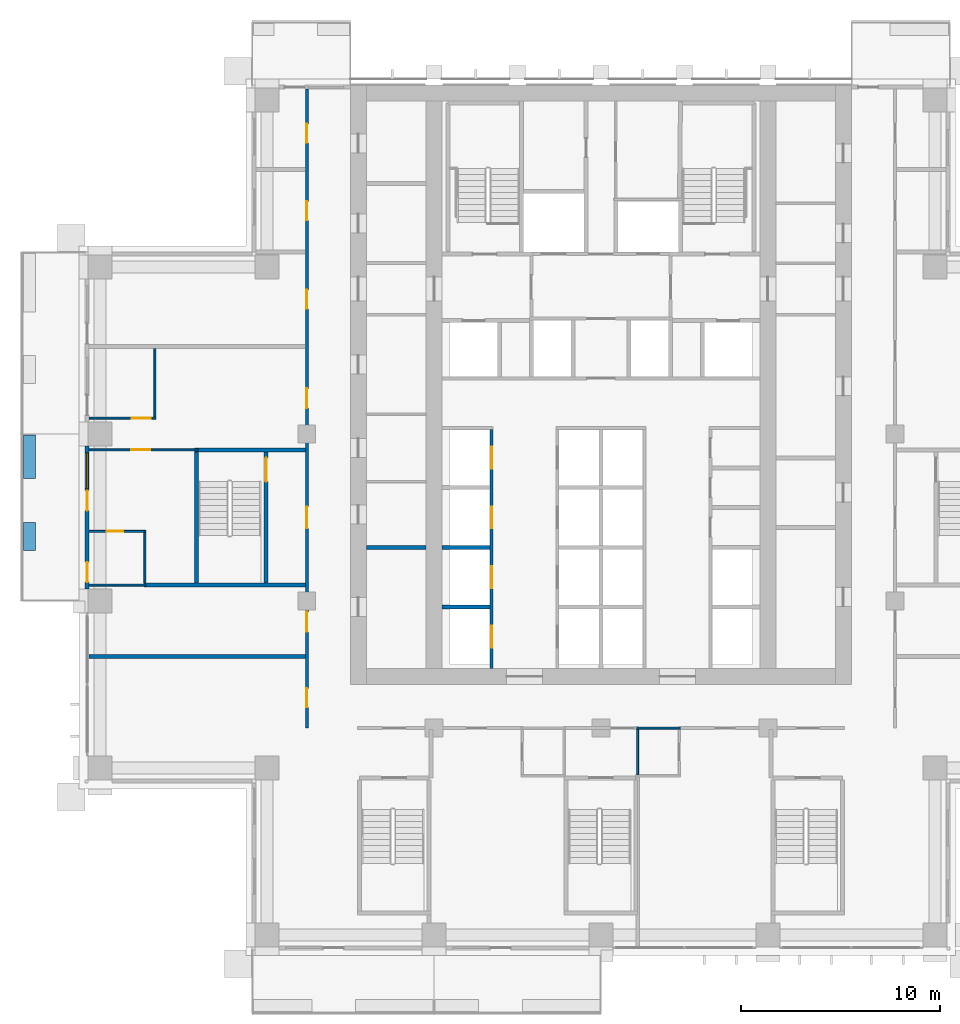
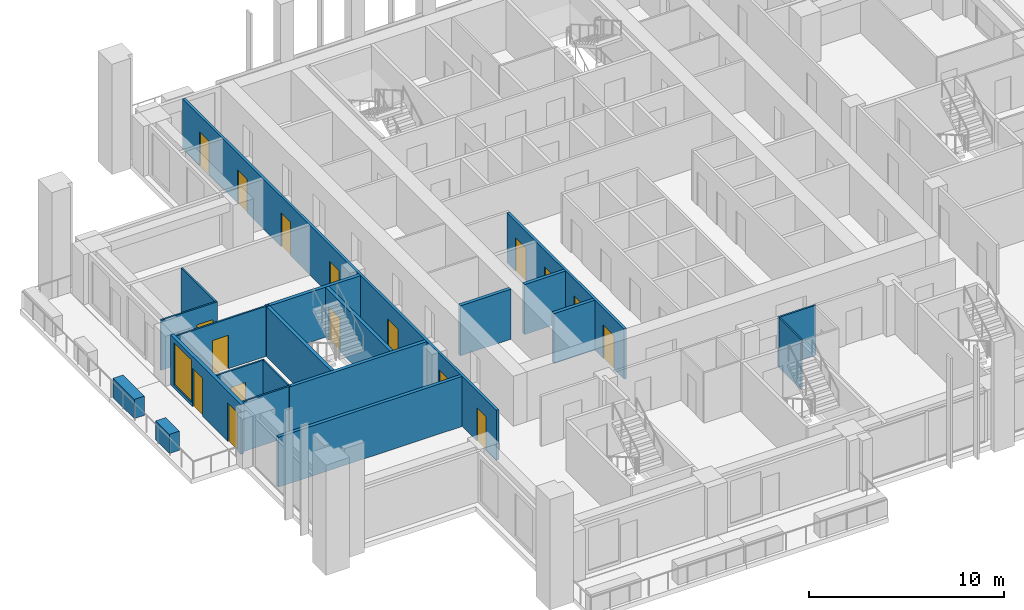
# One storey, part 7 of 17: 21 walls, 17 doors, 1 window, 18 openings.
"""IFC4 building model written with IfcOpenShell, lengths in metres."""

from ifc_helpers import new_model, si_unit, direction, frame, frame_2d, origin, place, context, subcontext, project, spatial, rectangle, extrude, material, layer, layer_set, type_object, element, fill, save


model = new_model("IFC4")

# Units and contexts
model_context = context("Model", 3, precision=1e-05, world=origin(), true_north=direction((0.0, 1.0)))
body_context = subcontext(model_context, "Body", "Model", "MODEL_VIEW")
ifc_project = project(units=[si_unit("LENGTHUNIT", "METRE"), si_unit("AREAUNIT", "SQUARE_METRE"), si_unit("VOLUMEUNIT", "CUBIC_METRE"), si_unit("PLANEANGLEUNIT", "RADIAN"), si_unit("MASSUNIT", "GRAM", prefix="KILO")], contexts=[model_context])

# Site, building, storey
site_placement = place(None, origin())
site = spatial("IfcSite", under=ifc_project, at=site_placement, CompositionType="ELEMENT")
building_placement = place(site_placement, origin())
building = spatial("IfcBuilding", under=site, at=building_placement, Name="Vermilion Ogive Tower", CompositionType="ELEMENT")
storey_placement = place(building_placement, frame((0.0, 0.0, 97.64990234375)))
storey = spatial("IfcBuildingStorey", under=building, at=storey_placement, Name="L24", CompositionType="ELEMENT", Elevation=97.64990234375)

# Walls
ifc_material_1 = material(Name="Gypsum board partition on steel studs", Category="steel")
ifc_layer_1 = layer(ifc_material_1, 0.10009765625)
ifc_layer_set_1 = layer_set([ifc_layer_1], Name="Partition 100 bath")
wall_type_1 = type_object("IfcWallType", Name="Partition 100 bath", PredefinedType="PARTITIONING", material=ifc_layer_set_1)
wall_1_placement = place(storey_placement, frame((1.800048828125, -10.60009765625, 0.0), z_axis=(0.0, 0.0, 1.0), x_axis=(1.0, 0.0, 0.0)))
element("IfcWall", 1, at=wall_1_placement, inside=storey, type_object=wall_type_1, Name="L24-W-W010", PredefinedType="PARTITIONING", context=body_context, shape_type="SweptSolid", body=[
    extrude(rectangle(XDim=2.199951171875, YDim=0.10009765625, at=frame_2d((1.10009765625, 0.0))), origin(), (0.0, 0.0, 1.0), 3.130126953125),
])
wall_2_placement = place(storey_placement, frame((-25.75, -3.39990234375, 0.0), z_axis=(0.0, 0.0, 1.0), x_axis=(1.0, 0.0, 0.0)))
element("IfcWall", 2, at=wall_2_placement, inside=storey, type_object=wall_type_1, Name="L24-W-W014", PredefinedType="PARTITIONING", context=body_context, shape_type="SweptSolid", body=[
    extrude(rectangle(XDim=2.85009765625, YDim=0.10009765625, at=frame_2d((1.425048828125, 0.0))), origin(), (0.0, 0.0, 1.0), 3.130126953125),
])

# Wall, opening, door
wall_3_placement = place(storey_placement, frame((-25.75, -0.699951171875, 0.0), z_axis=(0.0, 0.0, 1.0), x_axis=(1.0, 0.0, 0.0)))
wall_3 = element("IfcWall", 3, at=wall_3_placement, inside=storey, type_object=wall_type_1, Name="L24-W-W020", PredefinedType="PARTITIONING", context=body_context, shape_type="SweptSolid", body=[
    extrude(rectangle(XDim=2.85009765625, YDim=0.10009765625, at=frame_2d((1.425048828125, 0.0))), origin(), (0.0, 0.0, 1.0), 3.130126953125),
])
opening_1_placement = place(wall_3_placement, frame((0.875, 0.0, 0.0)))
opening_1 = element("IfcOpeningElement", 4, at=opening_1_placement, cuts=wall_3, Name="Opening D2G3005", PredefinedType="OPENING", context=body_context, shape_type="SweptSolid", body=[
    extrude(rectangle(XDim=0.85009765625, YDim=2.10009765625, at=frame_2d((0.425048828125, 1.050048828125))), frame((0.0, 0.06005859375, 0.0), z_axis=(0.0, -1.0, 0.0), x_axis=(1.0, 0.0, 0.0)), (0.0, 0.0, 1.0), 0.1201171875),
])
ifc_material_2 = material(Name="Timber door leaf", Category="wood")
door_type_1 = type_object("IfcDoorType", Name="Bath door 850 x 2100 FD30", OperationType="SINGLE_SWING_LEFT", PredefinedType="DOOR", material=ifc_material_2)
door_1_placement = place(opening_1_placement, origin())
door_1 = element("IfcDoor", 5, at=door_1_placement, inside=storey, type_object=door_type_1, Name="L24-D-D005", OperationType="SINGLE_SWING_RIGHT", OverallHeight=2.10009765625, OverallWidth=0.85009765625, PredefinedType="DOOR", context=body_context, shape_type="SweptSolid", body=[
    extrude(rectangle(XDim=0.85009765625, YDim=2.10009765625, at=frame_2d((0.425048828125, 1.050048828125))), frame((0.0, 0.02490234375, 0.0), z_axis=(0.0, -1.0, 0.0), x_axis=(1.0, 0.0, 0.0)), (0.0, 0.0, 1.0), 0.050048828125),
])
fill(opening_1, door_1)

# Walls
wall_4_placement = place(storey_placement, frame((-22.949951171875, -3.300048828125, 0.0), z_axis=(0.0, 0.0, 1.0), x_axis=(0.0, 1.0, 0.0)))
element("IfcWall", 6, at=wall_4_placement, inside=storey, type_object=wall_type_1, Name="L24-W-W032", PredefinedType="PARTITIONING", context=body_context, shape_type="SweptSolid", body=[
    extrude(rectangle(XDim=2.550048828125, YDim=0.10009765625, at=frame_2d((1.27490234375, 0.0))), origin(), (0.0, 0.0, 1.0), 3.130126953125),
])
wall_5_placement = place(storey_placement, frame((1.85009765625, -12.949951171875, 0.0), z_axis=(0.0, 0.0, 1.0), x_axis=(0.0, 1.0, 0.0)))
element("IfcWall", 7, at=wall_5_placement, inside=storey, type_object=wall_type_1, Name="L24-W-W043", PredefinedType="PARTITIONING", context=body_context, shape_type="SweptSolid", body=[
    extrude(rectangle(XDim=2.27490234375, YDim=0.10009765625, at=frame_2d((1.137451171875, 0.0))), origin(), (0.0, 0.0, 1.0), 3.130126953125),
])

# Wall, opening, door
ifc_material_3 = material(Name="Gypsum board partition on steel studs", Category="steel")
ifc_layer_2 = layer(ifc_material_3, 0.10009765625)
ifc_layer_set_2 = layer_set([ifc_layer_2], Name="Partition 100 inner")
wall_type_2 = type_object("IfcWallType", Name="Partition 100 inner", PredefinedType="PARTITIONING", material=ifc_layer_set_2)
wall_6_placement = place(storey_placement, frame((-25.75, 3.39990234375, 0.0), z_axis=(0.0, 0.0, 1.0), x_axis=(1.0, 0.0, 0.0)))
wall_6 = element("IfcWall", 8, at=wall_6_placement, inside=storey, type_object=wall_type_2, Name="L24-W-W021", PredefinedType="PARTITIONING", context=body_context, shape_type="SweptSolid", body=[
    extrude(rectangle(XDim=5.5, YDim=0.10009765625, at=frame_2d((2.75, 0.0))), origin(), (0.0, 0.0, 1.0), 3.130126953125),
])
opening_2_placement = place(wall_6_placement, frame((2.125, 0.0, 0.0)))
opening_2 = element("IfcOpeningElement", 9, at=opening_2_placement, cuts=wall_6, Name="Opening D2G3004", PredefinedType="OPENING", context=body_context, shape_type="SweptSolid", body=[
    extrude(rectangle(XDim=0.949951171875, YDim=2.10009765625, at=frame_2d((0.47509765625, 1.050048828125))), frame((0.0, 0.06005859375, 0.0), z_axis=(0.0, -1.0, 0.0), x_axis=(1.0, 0.0, 0.0)), (0.0, 0.0, 1.0), 0.1201171875),
])
ifc_material_4 = material(Name="Timber door leaf", Category="wood")
door_type_2 = type_object("IfcDoorType", Name="Inner door 950 x 2100 FD30", OperationType="SINGLE_SWING_LEFT", PredefinedType="DOOR", material=ifc_material_4)
door_2_placement = place(opening_2_placement, origin())
door_2 = element("IfcDoor", 10, at=door_2_placement, inside=storey, type_object=door_type_2, Name="L24-D-D004", OperationType="SINGLE_SWING_LEFT", OverallHeight=2.10009765625, OverallWidth=0.949951171875, PredefinedType="DOOR", context=body_context, shape_type="SweptSolid", body=[
    extrude(rectangle(XDim=0.949951171875, YDim=2.10009765625, at=frame_2d((0.47509765625, 1.050048828125))), frame((0.0, 0.02490234375, 0.0), z_axis=(0.0, -1.0, 0.0), x_axis=(1.0, 0.0, 0.0)), (0.0, 0.0, 1.0), 0.050048828125),
])
fill(opening_2, door_2)

wall_7_placement = place(storey_placement, frame((-25.75, 5.0, 0.0), z_axis=(0.0, 0.0, 1.0), x_axis=(1.0, 0.0, 0.0)))
wall_7 = element("IfcWall", 11, at=wall_7_placement, inside=storey, type_object=wall_type_2, Name="L24-W-W025", PredefinedType="PARTITIONING", context=body_context, shape_type="SweptSolid", body=[
    extrude(rectangle(XDim=3.35009765625, YDim=0.10009765625, at=frame_2d((1.675048828125, 0.0))), origin(), (0.0, 0.0, 1.0), 3.130126953125),
])
opening_3_placement = place(wall_7_placement, frame((2.14990234375, 0.0, 0.0)))
opening_3 = element("IfcOpeningElement", 12, at=opening_3_placement, cuts=wall_7, Name="Opening D2G3002", PredefinedType="OPENING", context=body_context, shape_type="SweptSolid", body=[
    extrude(rectangle(XDim=0.949951171875, YDim=2.10009765625, at=frame_2d((0.47509765625, 1.050048828125))), frame((0.0, 0.06005859375, 0.0), z_axis=(0.0, -1.0, 0.0), x_axis=(1.0, 0.0, 0.0)), (0.0, 0.0, 1.0), 0.1201171875),
])
door_3_placement = place(opening_3_placement, origin())
door_3 = element("IfcDoor", 13, at=door_3_placement, inside=storey, type_object=door_type_2, Name="L24-D-D002", OperationType="SINGLE_SWING_RIGHT", OverallHeight=2.10009765625, OverallWidth=0.949951171875, PredefinedType="DOOR", context=body_context, shape_type="SweptSolid", body=[
    extrude(rectangle(XDim=0.949951171875, YDim=2.10009765625, at=frame_2d((0.47509765625, 1.050048828125))), frame((0.0, 0.02490234375, 0.0), z_axis=(0.0, -1.0, 0.0), x_axis=(1.0, 0.0, 0.0)), (0.0, 0.0, 1.0), 0.050048828125),
])
fill(opening_3, door_3)

# Wall
wall_8_placement = place(storey_placement, frame((-22.449951171875, 5.050048828125, 0.0), z_axis=(0.0, 0.0, 1.0), x_axis=(0.0, 1.0, 0.0)))
element("IfcWall", 14, at=wall_8_placement, inside=storey, type_object=wall_type_2, Name="L24-W-W033", PredefinedType="PARTITIONING", context=body_context, shape_type="SweptSolid", body=[
    extrude(rectangle(XDim=3.449951171875, YDim=0.10009765625, at=frame_2d((1.72509765625, 0.0))), origin(), (0.0, 0.0, 1.0), 3.130126953125),
])

# Wall, openings, doors
ifc_material_5 = material(Name="Gypsum board partition on steel studs", Category="steel")
ifc_layer_3 = layer(ifc_material_5, 0.14990234375)
ifc_layer_set_3 = layer_set([ifc_layer_3], Name="Partition 150 corridor")
wall_type_3 = type_object("IfcWallType", Name="Partition 150 corridor", PredefinedType="PARTITIONING", material=ifc_layer_set_3)
wall_9_placement = place(storey_placement, frame((-14.800048828125, -10.60009765625, 0.0), z_axis=(0.0, 0.0, 1.0), x_axis=(0.0, 1.0, 0.0)))
wall_9 = element("IfcWall", 15, at=wall_9_placement, inside=storey, type_object=wall_type_3, Name="L24-W-W036", PredefinedType="PARTITIONING", context=body_context, shape_type="SweptSolid", body=[
    extrude(rectangle(XDim=32.150146484375, YDim=0.14990234375, at=frame_2d((16.0751953125, 0.0))), origin(), (0.0, 0.0, 1.0), 3.130126953125),
])
opening_4_placement = place(wall_9_placement, frame((1.050048828125, 0.0, 0.0)))
opening_4 = element("IfcOpeningElement", 16, at=opening_4_placement, cuts=wall_9, Name="Opening D2G3001", PredefinedType="OPENING", context=body_context, shape_type="SweptSolid", body=[
    extrude(rectangle(XDim=0.949951171875, YDim=2.10009765625, at=frame_2d((0.47509765625, 1.050048828125))), frame((0.0, 0.0849609375, 0.0), z_axis=(0.0, -1.0, 0.0), x_axis=(1.0, 0.0, 0.0)), (0.0, 0.0, 1.0), 0.169921875),
])
opening_5_placement = place(wall_9_placement, frame((16.10009765625, 0.0, 0.0)))
opening_5 = element("IfcOpeningElement", 17, at=opening_5_placement, cuts=wall_9, Name="Opening D2G3003", PredefinedType="OPENING", context=body_context, shape_type="SweptSolid", body=[
    extrude(rectangle(XDim=1.0, YDim=2.10009765625, at=frame_2d((0.5, 1.050048828125))), frame((0.0, 0.0849609375, 0.0), z_axis=(0.0, -1.0, 0.0), x_axis=(1.0, 0.0, 0.0)), (0.0, 0.0, 1.0), 0.169921875),
])
opening_6_placement = place(wall_9_placement, frame((21.10009765625, 0.0, 0.0)))
opening_6 = element("IfcOpeningElement", 18, at=opening_6_placement, cuts=wall_9, Name="Opening D2G3006", PredefinedType="OPENING", context=body_context, shape_type="SweptSolid", body=[
    extrude(rectangle(XDim=0.949951171875, YDim=2.10009765625, at=frame_2d((0.47509765625, 1.050048828125))), frame((0.0, 0.0849609375, 0.0), z_axis=(0.0, -1.0, 0.0), x_axis=(1.0, 0.0, 0.0)), (0.0, 0.0, 1.0), 0.169921875),
])
opening_7_placement = place(wall_9_placement, frame((25.550048828125, 0.0, 0.0)))
opening_7 = element("IfcOpeningElement", 19, at=opening_7_placement, cuts=wall_9, Name="Opening D2G3007", PredefinedType="OPENING", context=body_context, shape_type="SweptSolid", body=[
    extrude(rectangle(XDim=0.949951171875, YDim=2.10009765625, at=frame_2d((0.47509765625, 1.050048828125))), frame((0.0, 0.0849609375, 0.0), z_axis=(0.0, -1.0, 0.0), x_axis=(1.0, 0.0, 0.0)), (0.0, 0.0, 1.0), 0.169921875),
])
opening_8_placement = place(wall_9_placement, frame((29.4501953125, 0.0, 0.0)))
opening_8 = element("IfcOpeningElement", 20, at=opening_8_placement, cuts=wall_9, Name="Opening D2G3008", PredefinedType="OPENING", context=body_context, shape_type="SweptSolid", body=[
    extrude(rectangle(XDim=0.949951171875, YDim=2.10009765625, at=frame_2d((0.47509765625, 1.050048828125))), frame((0.0, 0.0849609375, 0.0), z_axis=(0.0, -1.0, 0.0), x_axis=(1.0, 0.0, 0.0)), (0.0, 0.0, 1.0), 0.169921875),
])
opening_9_placement = place(wall_9_placement, frame((10.050048828125, 0.0, 0.0)))
opening_9 = element("IfcOpeningElement", 21, at=opening_9_placement, cuts=wall_9, Name="Opening D2G3028", PredefinedType="OPENING", context=body_context, shape_type="SweptSolid", body=[
    extrude(rectangle(XDim=1.10009765625, YDim=2.10009765625, at=frame_2d((0.550048828125, 1.050048828125))), frame((0.0, 0.0849609375, 0.0), z_axis=(0.0, -1.0, 0.0), x_axis=(1.0, 0.0, 0.0)), (0.0, 0.0, 1.0), 0.169921875),
])
opening_10_placement = place(wall_9_placement, frame((4.85009765625, 0.0, 0.0)))
opening_10 = element("IfcOpeningElement", 22, at=opening_10_placement, cuts=wall_9, Name="Opening D2G3030", PredefinedType="OPENING", context=body_context, shape_type="SweptSolid", body=[
    extrude(rectangle(XDim=1.0, YDim=2.10009765625, at=frame_2d((0.5, 1.050048828125))), frame((0.0, 0.0849609375, 0.0), z_axis=(0.0, -1.0, 0.0), x_axis=(1.0, 0.0, 0.0)), (0.0, 0.0, 1.0), 0.169921875),
])
ifc_material_6 = material(Name="Timber door leaf", Category="wood")
door_type_3 = type_object("IfcDoorType", Name="Stair door 1100 x 2100 FD60S", OperationType="SINGLE_SWING_LEFT", PredefinedType="DOOR", material=ifc_material_6)
door_4_placement = place(opening_9_placement, origin())
door_4 = element("IfcDoor", 23, at=door_4_placement, inside=storey, type_object=door_type_3, Name="L24-D-D028", OperationType="SINGLE_SWING_RIGHT", OverallHeight=2.10009765625, OverallWidth=1.10009765625, PredefinedType="DOOR", context=body_context, shape_type="SweptSolid", body=[
    extrude(rectangle(XDim=1.10009765625, YDim=2.10009765625, at=frame_2d((0.550048828125, 1.050048828125))), frame((0.0, 0.02490234375, 0.0), z_axis=(0.0, -1.0, 0.0), x_axis=(1.0, 0.0, 0.0)), (0.0, 0.0, 1.0), 0.050048828125),
])
fill(opening_9, door_4)
ifc_material_7 = material(Name="Timber door leaf", Category="wood")
door_type_4 = type_object("IfcDoorType", Name="Unit door 1000 x 2100 FD30S", OperationType="SINGLE_SWING_LEFT", PredefinedType="DOOR", material=ifc_material_7)
door_5_placement = place(opening_5_placement, origin())
door_5 = element("IfcDoor", 24, at=door_5_placement, inside=storey, type_object=door_type_4, Name="L24-D-D003", OperationType="SINGLE_SWING_LEFT", OverallHeight=2.10009765625, OverallWidth=1.0, PredefinedType="DOOR", context=body_context, shape_type="SweptSolid", body=[
    extrude(rectangle(XDim=1.0, YDim=2.10009765625, at=frame_2d((0.5, 1.050048828125))), frame((0.0, 0.02490234375, 0.0), z_axis=(0.0, -1.0, 0.0), x_axis=(1.0, 0.0, 0.0)), (0.0, 0.0, 1.0), 0.050048828125),
])
fill(opening_5, door_5)
door_6_placement = place(opening_10_placement, origin())
door_6 = element("IfcDoor", 25, at=door_6_placement, inside=storey, type_object=door_type_4, Name="L24-D-D030", OperationType="SINGLE_SWING_RIGHT", OverallHeight=2.10009765625, OverallWidth=1.0, PredefinedType="DOOR", context=body_context, shape_type="SweptSolid", body=[
    extrude(rectangle(XDim=1.0, YDim=2.10009765625, at=frame_2d((0.5, 1.050048828125))), frame((0.0, 0.02490234375, 0.0), z_axis=(0.0, -1.0, 0.0), x_axis=(1.0, 0.0, 0.0)), (0.0, 0.0, 1.0), 0.050048828125),
])
fill(opening_10, door_6)
ifc_material_8 = material(Name="Timber door leaf", Category="wood")
door_type_5 = type_object("IfcDoorType", Name="Unit door 950 x 2100 FD30S", OperationType="SINGLE_SWING_LEFT", PredefinedType="DOOR", material=ifc_material_8)
door_7_placement = place(opening_4_placement, origin())
door_7 = element("IfcDoor", 26, at=door_7_placement, inside=storey, type_object=door_type_5, Name="L24-D-D001", OperationType="SINGLE_SWING_LEFT", OverallHeight=2.10009765625, OverallWidth=0.949951171875, PredefinedType="DOOR", context=body_context, shape_type="SweptSolid", body=[
    extrude(rectangle(XDim=0.949951171875, YDim=2.10009765625, at=frame_2d((0.47509765625, 1.050048828125))), frame((0.0, 0.02490234375, 0.0), z_axis=(0.0, -1.0, 0.0), x_axis=(1.0, 0.0, 0.0)), (0.0, 0.0, 1.0), 0.050048828125),
])
fill(opening_4, door_7)
door_8_placement = place(opening_6_placement, origin())
door_8 = element("IfcDoor", 27, at=door_8_placement, inside=storey, type_object=door_type_5, Name="L24-D-D006", OperationType="SINGLE_SWING_RIGHT", OverallHeight=2.10009765625, OverallWidth=0.949951171875, PredefinedType="DOOR", context=body_context, shape_type="SweptSolid", body=[
    extrude(rectangle(XDim=0.949951171875, YDim=2.10009765625, at=frame_2d((0.47509765625, 1.050048828125))), frame((0.0, 0.02490234375, 0.0), z_axis=(0.0, -1.0, 0.0), x_axis=(1.0, 0.0, 0.0)), (0.0, 0.0, 1.0), 0.050048828125),
])
fill(opening_6, door_8)
door_9_placement = place(opening_7_placement, origin())
door_9 = element("IfcDoor", 28, at=door_9_placement, inside=storey, type_object=door_type_5, Name="L24-D-D007", OperationType="SINGLE_SWING_LEFT", OverallHeight=2.10009765625, OverallWidth=0.949951171875, PredefinedType="DOOR", context=body_context, shape_type="SweptSolid", body=[
    extrude(rectangle(XDim=0.949951171875, YDim=2.10009765625, at=frame_2d((0.47509765625, 1.050048828125))), frame((0.0, 0.02490234375, 0.0), z_axis=(0.0, -1.0, 0.0), x_axis=(1.0, 0.0, 0.0)), (0.0, 0.0, 1.0), 0.050048828125),
])
fill(opening_7, door_9)
door_10_placement = place(opening_8_placement, origin())
door_10 = element("IfcDoor", 29, at=door_10_placement, inside=storey, type_object=door_type_5, Name="L24-D-D008", OperationType="SINGLE_SWING_RIGHT", OverallHeight=2.10009765625, OverallWidth=0.949951171875, PredefinedType="DOOR", context=body_context, shape_type="SweptSolid", body=[
    extrude(rectangle(XDim=0.949951171875, YDim=2.10009765625, at=frame_2d((0.47509765625, 1.050048828125))), frame((0.0, 0.02490234375, 0.0), z_axis=(0.0, -1.0, 0.0), x_axis=(1.0, 0.0, 0.0)), (0.0, 0.0, 1.0), 0.050048828125),
])
fill(opening_8, door_10)

wall_10_placement = place(storey_placement, frame((-5.5, -7.59912109375, 0.0), z_axis=(0.0, 0.0, 1.0), x_axis=(0.0, 1.0, 0.0)))
wall_10 = element("IfcWall", 30, at=wall_10_placement, inside=storey, type_object=wall_type_3, Name="L24-CK-W-W023", PredefinedType="PARTITIONING", context=body_context, shape_type="SweptSolid", body=[
    extrude(rectangle(XDim=12.024169921875, YDim=0.14990234375, at=frame_2d((6.01220703125, 0.0))), origin(), (0.0, 0.0, 1.0), 3.130126953125),
])
opening_11_placement = place(wall_10_placement, frame((1.049072265625, 0.0, 0.0)))
opening_11 = element("IfcOpeningElement", 31, at=opening_11_placement, cuts=wall_10, Name="Opening DAA196", PredefinedType="OPENING", context=body_context, shape_type="SweptSolid", body=[
    extrude(rectangle(XDim=1.10009765625, YDim=2.10009765625, at=frame_2d((0.550048828125, 1.050048828125))), frame((0.0, 0.0849609375, 0.0), z_axis=(0.0, -1.0, 0.0), x_axis=(1.0, 0.0, 0.0)), (0.0, 0.0, 1.0), 0.169921875),
])
opening_12_placement = place(wall_10_placement, frame((4.049072265625, 0.0, 0.0)))
opening_12 = element("IfcOpeningElement", 32, at=opening_12_placement, cuts=wall_10, Name="Opening DAA199", PredefinedType="OPENING", context=body_context, shape_type="SweptSolid", body=[
    extrude(rectangle(XDim=1.10009765625, YDim=2.10009765625, at=frame_2d((0.550048828125, 1.050048828125))), frame((0.0, 0.0849609375, 0.0), z_axis=(0.0, -1.0, 0.0), x_axis=(1.0, 0.0, 0.0)), (0.0, 0.0, 1.0), 0.169921875),
])
opening_13_placement = place(wall_10_placement, frame((7.049072265625, 0.0, 0.0)))
opening_13 = element("IfcOpeningElement", 33, at=opening_13_placement, cuts=wall_10, Name="Opening DAA200", PredefinedType="OPENING", context=body_context, shape_type="SweptSolid", body=[
    extrude(rectangle(XDim=1.10009765625, YDim=2.10009765625, at=frame_2d((0.550048828125, 1.050048828125))), frame((0.0, 0.0849609375, 0.0), z_axis=(0.0, -1.0, 0.0), x_axis=(1.0, 0.0, 0.0)), (0.0, 0.0, 1.0), 0.169921875),
])
opening_14_placement = place(wall_10_placement, frame((10.049072265625, 0.0, 0.0)))
opening_14 = element("IfcOpeningElement", 34, at=opening_14_placement, cuts=wall_10, Name="Opening DAA201", PredefinedType="OPENING", context=body_context, shape_type="SweptSolid", body=[
    extrude(rectangle(XDim=1.10009765625, YDim=2.10009765625, at=frame_2d((0.550048828125, 1.050048828125))), frame((0.0, 0.0849609375, 0.0), z_axis=(0.0, -1.0, 0.0), x_axis=(1.0, 0.0, 0.0)), (0.0, 0.0, 1.0), 0.169921875),
])
ifc_material_9 = material(Name="Stainless steel", Category="steel")
door_type_6 = type_object("IfcDoorType", Name="Lift landing door 1100 x 2100", OperationType="SLIDING_TO_LEFT", PredefinedType="DOOR", material=ifc_material_9)
door_11_placement = place(opening_11_placement, origin())
door_11 = element("IfcDoor", 35, at=door_11_placement, inside=storey, type_object=door_type_6, Name="L24-CK-D-D001", OperationType="SLIDING_TO_LEFT", OverallHeight=2.10009765625, OverallWidth=1.10009765625, PredefinedType="DOOR", context=body_context, shape_type="SweptSolid", body=[
    extrude(rectangle(XDim=1.10009765625, YDim=2.10009765625, at=frame_2d((0.550048828125, 1.050048828125))), frame((0.0, 0.02490234375, 0.0), z_axis=(0.0, -1.0, 0.0), x_axis=(1.0, 0.0, 0.0)), (0.0, 0.0, 1.0), 0.050048828125),
])
fill(opening_11, door_11)
door_12_placement = place(opening_12_placement, origin())
door_12 = element("IfcDoor", 36, at=door_12_placement, inside=storey, type_object=door_type_6, Name="L24-CK-D-D002", OperationType="SLIDING_TO_LEFT", OverallHeight=2.10009765625, OverallWidth=1.10009765625, PredefinedType="DOOR", context=body_context, shape_type="SweptSolid", body=[
    extrude(rectangle(XDim=1.10009765625, YDim=2.10009765625, at=frame_2d((0.550048828125, 1.050048828125))), frame((0.0, 0.02490234375, 0.0), z_axis=(0.0, -1.0, 0.0), x_axis=(1.0, 0.0, 0.0)), (0.0, 0.0, 1.0), 0.050048828125),
])
fill(opening_12, door_12)
door_13_placement = place(opening_13_placement, origin())
door_13 = element("IfcDoor", 37, at=door_13_placement, inside=storey, type_object=door_type_6, Name="L24-CK-D-D003", OperationType="SLIDING_TO_LEFT", OverallHeight=2.10009765625, OverallWidth=1.10009765625, PredefinedType="DOOR", context=body_context, shape_type="SweptSolid", body=[
    extrude(rectangle(XDim=1.10009765625, YDim=2.10009765625, at=frame_2d((0.550048828125, 1.050048828125))), frame((0.0, 0.02490234375, 0.0), z_axis=(0.0, -1.0, 0.0), x_axis=(1.0, 0.0, 0.0)), (0.0, 0.0, 1.0), 0.050048828125),
])
fill(opening_13, door_13)
door_14_placement = place(opening_14_placement, origin())
door_14 = element("IfcDoor", 38, at=door_14_placement, inside=storey, type_object=door_type_6, Name="L24-CK-D-D004", OperationType="SLIDING_TO_LEFT", OverallHeight=2.10009765625, OverallWidth=1.10009765625, PredefinedType="DOOR", context=body_context, shape_type="SweptSolid", body=[
    extrude(rectangle(XDim=1.10009765625, YDim=2.10009765625, at=frame_2d((0.550048828125, 1.050048828125))), frame((0.0, 0.02490234375, 0.0), z_axis=(0.0, -1.0, 0.0), x_axis=(1.0, 0.0, 0.0)), (0.0, 0.0, 1.0), 0.050048828125),
])
fill(opening_14, door_14)

# Walls
ifc_material_10 = material(Name="Gypsum board partition on steel studs", Category="steel")
ifc_layer_4 = layer(ifc_material_10, 0.199951171875)
ifc_layer_set_4 = layer_set([ifc_layer_4], Name="Partition 200 party")
wall_type_4 = type_object("IfcWallType", Name="Partition 200 party", PredefinedType="PARTITIONING", material=ifc_layer_set_4)
wall_11_placement = place(storey_placement, frame((-25.75, -7.0, 0.0), z_axis=(0.0, 0.0, 1.0), x_axis=(1.0, 0.0, 0.0)))
element("IfcWall", 39, at=wall_11_placement, inside=storey, type_object=wall_type_4, Name="L24-W-W012", PredefinedType="PARTITIONING", context=body_context, shape_type="SweptSolid", body=[
    extrude(rectangle(XDim=10.875, YDim=0.199951171875, at=frame_2d((5.4375, 0.0))), origin(), (0.0, 0.0, 1.0), 3.130126953125),
])
for number, where, z_axis, x_axis, name in (
    (40, (-7.9990234375, -4.5, 0.0), (0.0, 0.0, 1.0), (1.0, 0.0, 0.0), "L24-CK-W-W001"),
    (41, (-7.9990234375, -1.5, 0.0), (0.0, 0.0, 1.0), (1.0, 0.0, 0.0), "L24-CK-W-W004"),
):
    element("IfcWall", number, at=place(storey_placement, frame(where, z_axis=z_axis, x_axis=x_axis)), inside=storey, type_object=wall_type_4, Name=name, PredefinedType="PARTITIONING", context=body_context, shape_type="SweptSolid", body=[
        extrude(rectangle(XDim=2.424072265625, YDim=0.199951171875, at=frame_2d((1.2119140625, 0.0))), origin(), (0.0, 0.0, 1.0), 3.130126953125),
    ])
wall_12_placement = place(storey_placement, frame((-11.799072265625, -1.5, 0.0), z_axis=(0.0, 0.0, 1.0), x_axis=(1.0, 0.0, 0.0)))
element("IfcWall", 42, at=wall_12_placement, inside=storey, type_object=wall_type_4, Name="L24-CKW-W-W001", PredefinedType="PARTITIONING", context=body_context, shape_type="SweptSolid", body=[
    extrude(rectangle(XDim=2.998046875, YDim=0.199951171875, at=frame_2d((1.4990234375, 0.0))), origin(), (0.0, 0.0, 1.0), 3.130126953125),
])
ifc_material_11 = material(Name="Concrete B60", Category="concrete")
ifc_layer_5 = layer(ifc_material_11, 0.199951171875)
ifc_layer_set_5 = layer_set([ifc_layer_5], Name="Stair shaft wall 200 Concrete B60")
wall_type_5 = type_object("IfcWallType", Name="Stair shaft wall 200 Concrete B60", PredefinedType="SOLIDWALL", material=ifc_layer_set_5)
wall_13_placement = place(storey_placement, frame((-20.449951171875, 3.39990234375, 0.0), z_axis=(0.0, 0.0, 1.0), x_axis=(1.0, 0.0, 0.0)))
element("IfcWall", 43, at=wall_13_placement, inside=storey, type_object=wall_type_5, Name="L24-W-W022", PredefinedType="SOLIDWALL", context=body_context, shape_type="SweptSolid", body=[
    extrude(rectangle(XDim=5.574951171875, YDim=0.199951171875, at=frame_2d((2.78759765625, 0.0))), origin(), (0.0, 0.0, 1.0), 3.130126953125),
])
wall_14_placement = place(storey_placement, frame((-20.35009765625, -3.298095703125, 0.0), z_axis=(0.0, 0.0, 1.0), x_axis=(0.0, 1.0, 0.0)))
element("IfcWall", 44, at=wall_14_placement, inside=storey, type_object=wall_type_5, Name="L24-W-W034", PredefinedType="SOLIDWALL", context=body_context, shape_type="SweptSolid", body=[
    extrude(rectangle(XDim=6.59814453125, YDim=0.199951171875, at=frame_2d((3.299072265625, 0.0))), origin(), (0.0, 0.0, 1.0), 3.130126953125),
])

# Wall, opening, door
wall_15_placement = place(storey_placement, frame((-16.85009765625, -3.300048828125, 0.0), z_axis=(0.0, 0.0, 1.0), x_axis=(0.0, 1.0, 0.0)))
wall_15 = element("IfcWall", 45, at=wall_15_placement, inside=storey, type_object=wall_type_5, Name="L24-W-W035", PredefinedType="SOLIDWALL", context=body_context, shape_type="SweptSolid", body=[
    extrude(rectangle(XDim=6.60009765625, YDim=0.199951171875, at=frame_2d((3.300048828125, 0.0))), origin(), (0.0, 0.0, 1.0), 3.130126953125),
])
opening_15_placement = place(wall_15_placement, frame((5.10009765625, 0.0, 0.0)))
opening_15 = element("IfcOpeningElement", 46, at=opening_15_placement, cuts=wall_15, Name="Opening D2G3029", PredefinedType="OPENING", context=body_context, shape_type="SweptSolid", body=[
    extrude(rectangle(XDim=1.199951171875, YDim=2.10009765625, at=frame_2d((0.60009765625, 1.050048828125))), frame((0.0, 0.10986328125, 0.0), z_axis=(0.0, -1.0, 0.0), x_axis=(1.0, 0.0, 0.0)), (0.0, 0.0, 1.0), 0.219970703125),
])
ifc_material_12 = material(Name="Timber door leaf", Category="wood")
door_type_7 = type_object("IfcDoorType", Name="Stair door 1200 x 2100 FD60S", OperationType="SINGLE_SWING_LEFT", PredefinedType="DOOR", material=ifc_material_12)
door_15_placement = place(opening_15_placement, origin())
door_15 = element("IfcDoor", 47, at=door_15_placement, inside=storey, type_object=door_type_7, Name="L24-D-D029", OperationType="SINGLE_SWING_RIGHT", OverallHeight=2.10009765625, OverallWidth=1.199951171875, PredefinedType="DOOR", context=body_context, shape_type="SweptSolid", body=[
    extrude(rectangle(XDim=1.199951171875, YDim=2.10009765625, at=frame_2d((0.60009765625, 1.050048828125))), frame((0.0, 0.02490234375, 0.0), z_axis=(0.0, -1.0, 0.0), x_axis=(1.0, 0.0, 0.0)), (0.0, 0.0, 1.0), 0.050048828125),
])
fill(opening_15, door_15)

# Walls
wall_16_placement = place(storey_placement, frame((-23.0, -3.39990234375, 0.0), z_axis=(0.0, 0.0, 1.0), x_axis=(1.0, 0.0, 0.0)))
element("IfcWall", 48, at=wall_16_placement, inside=storey, type_object=wall_type_5, Name="L24-W-W015-A", PredefinedType="SOLIDWALL", context=body_context, shape_type="SweptSolid", body=[
    extrude(rectangle(XDim=8.123046875, YDim=0.199951171875, at=frame_2d((4.0615234375, 0.0))), origin(), (0.0, 0.0, 1.0), 3.130126953125),
])
ifc_material_13 = material(Name="Concrete B40", Category="concrete")
ifc_layer_6 = layer(ifc_material_13, 0.60009765625)
ifc_layer_set_6 = layer_set([ifc_layer_6], Name="Structural planter")
wall_type_6 = type_object("IfcWallType", Name="Structural planter", PredefinedType="USERDEFINED", material=ifc_layer_set_6)
wall_17_placement = place(storey_placement, frame((-28.75, 4.139892578125, -0.039794921875), z_axis=(0.0, 0.0, 1.0), x_axis=(0.0, -1.0, 0.0)))
element("IfcWall", 49, at=wall_17_placement, inside=storey, type_object=wall_type_6, Name="Planter W02A1", ObjectType="PLANTER", PredefinedType="USERDEFINED", context=body_context, shape_type="SweptSolid", body=[
    extrude(rectangle(XDim=2.18994140625, YDim=0.60009765625, at=frame_2d((1.094970703125, 0.0))), origin(), (0.0, 0.0, 1.0), 1.199951171875),
])
wall_18_placement = place(storey_placement, frame((-28.75, -0.25, -0.039794921875), z_axis=(0.0, 0.0, 1.0), x_axis=(0.0, -1.0, 0.0)))
element("IfcWall", 50, at=wall_18_placement, inside=storey, type_object=wall_type_6, Name="Planter W02A2", ObjectType="PLANTER", PredefinedType="USERDEFINED", context=body_context, shape_type="SweptSolid", body=[
    extrude(rectangle(XDim=1.39990234375, YDim=0.60009765625, at=frame_2d((0.699951171875, 0.0))), origin(), (0.0, 0.0, 1.0), 1.199951171875),
])

# Wall, openings, doors, window
ifc_material_14 = material(Name="Aluminium window wall framing", Category="aluminium")
ifc_layer_7 = layer(ifc_material_14, 0.199951171875)
ifc_layer_set_7 = layer_set([ifc_layer_7], Name="Window wall")
wall_type_7 = type_object("IfcWallType", Name="Window wall", PredefinedType="STANDARD", material=ifc_layer_set_7)
wall_19_placement = place(storey_placement, frame((-25.85009765625, 3.60009765625, 0.0), z_axis=(0.0, 0.0, 1.0), x_axis=(0.0, -1.0, 0.0)))
wall_19 = element("IfcWall", 51, at=wall_19_placement, inside=storey, type_object=wall_type_7, Name="Window wall W2", PredefinedType="STANDARD", context=body_context, shape_type="SweptSolid", body=[
    extrude(rectangle(XDim=7.2001953125, YDim=0.199951171875, at=frame_2d((3.60009765625, 0.0))), origin(), (0.0, 0.0, 1.0), 3.130126953125),
])
opening_16_placement = place(wall_19_placement, frame((5.85009765625, 0.0, 0.0)))
opening_16 = element("IfcOpeningElement", 52, at=opening_16_placement, cuts=wall_19, Name="Opening D1-W99", PredefinedType="OPENING", context=body_context, shape_type="SweptSolid", body=[
    extrude(rectangle(XDim=1.0, YDim=2.39990234375, at=frame_2d((0.5, 1.199951171875))), frame((0.0, 0.10986328125, 0.0), z_axis=(0.0, -1.0, 0.0), x_axis=(1.0, 0.0, 0.0)), (0.0, 0.0, 1.0), 0.219970703125),
])
opening_17_placement = place(wall_19_placement, frame((0.35009765625, 0.0, 0.199951171875)))
opening_17 = element("IfcOpeningElement", 53, at=opening_17_placement, cuts=wall_19, Name="Opening W1-W00", PredefinedType="OPENING", context=body_context, shape_type="SweptSolid", body=[
    extrude(rectangle(XDim=1.800048828125, YDim=2.64990234375, at=frame_2d((0.89990234375, 1.324951171875))), frame((0.0, 0.10986328125, 0.0), z_axis=(0.0, -1.0, 0.0), x_axis=(1.0, 0.0, 0.0)), (0.0, 0.0, 1.0), 0.219970703125),
])
opening_18_placement = place(wall_19_placement, frame((2.25, 0.0, 0.0)))
opening_18 = element("IfcOpeningElement", 54, at=opening_18_placement, cuts=wall_19, Name="Opening D1-W00", PredefinedType="OPENING", context=body_context, shape_type="SweptSolid", body=[
    extrude(rectangle(XDim=1.0, YDim=2.39990234375, at=frame_2d((0.5, 1.199951171875))), frame((0.0, 0.10986328125, 0.0), z_axis=(0.0, -1.0, 0.0), x_axis=(1.0, 0.0, 0.0)), (0.0, 0.0, 1.0), 0.219970703125),
])
ifc_material_15 = material(Name="Aluminium framed glazed door", Category="aluminium")
door_type_8 = type_object("IfcDoorType", Name="Balcony door D1", OperationType="SINGLE_SWING_LEFT", PredefinedType="DOOR", material=ifc_material_15)
door_16_placement = place(opening_16_placement, origin())
door_16 = element("IfcDoor", 55, at=door_16_placement, inside=storey, type_object=door_type_8, Name="Balcony door W99", OperationType="SINGLE_SWING_LEFT", OverallHeight=2.39990234375, OverallWidth=1.0, PredefinedType="DOOR", context=body_context, shape_type="SweptSolid", body=[
    extrude(rectangle(XDim=1.0, YDim=2.39990234375, at=frame_2d((0.5, 1.199951171875))), frame((0.0, 0.02490234375, 0.0), z_axis=(0.0, -1.0, 0.0), x_axis=(1.0, 0.0, 0.0)), (0.0, 0.0, 1.0), 0.050048828125),
])
fill(opening_16, door_16)
door_17_placement = place(opening_18_placement, origin())
door_17 = element("IfcDoor", 56, at=door_17_placement, inside=storey, type_object=door_type_8, Name="Balcony door W00", OperationType="SINGLE_SWING_LEFT", OverallHeight=2.39990234375, OverallWidth=1.0, PredefinedType="DOOR", context=body_context, shape_type="SweptSolid", body=[
    extrude(rectangle(XDim=1.0, YDim=2.39990234375, at=frame_2d((0.5, 1.199951171875))), frame((0.0, 0.02490234375, 0.0), z_axis=(0.0, -1.0, 0.0), x_axis=(1.0, 0.0, 0.0)), (0.0, 0.0, 1.0), 0.050048828125),
])
fill(opening_18, door_17)
ifc_material_16 = material(Name="Aluminium framed double glazing", Category="aluminium")
window_type = type_object("IfcWindowType", Name="Guest window W1", PartitioningType="SINGLE_PANEL", PredefinedType="WINDOW", material=ifc_material_16)
window_placement = place(opening_17_placement, origin())
window = element("IfcWindow", 57, at=window_placement, inside=storey, type_object=window_type, Name="Window W00", OverallHeight=2.64990234375, OverallWidth=1.800048828125, PartitioningType="SINGLE_PANEL", PredefinedType="WINDOW", context=body_context, shape_type="SweptSolid", body=[
    extrude(rectangle(XDim=1.800048828125, YDim=2.64990234375, at=frame_2d((0.89990234375, 1.324951171875))), frame((0.0, 0.030029296875, 0.0), z_axis=(0.0, -1.0, 0.0), x_axis=(1.0, 0.0, 0.0)), (0.0, 0.0, 1.0), 0.06005859375),
])
fill(opening_17, window)

save(model, "model.ifc")
